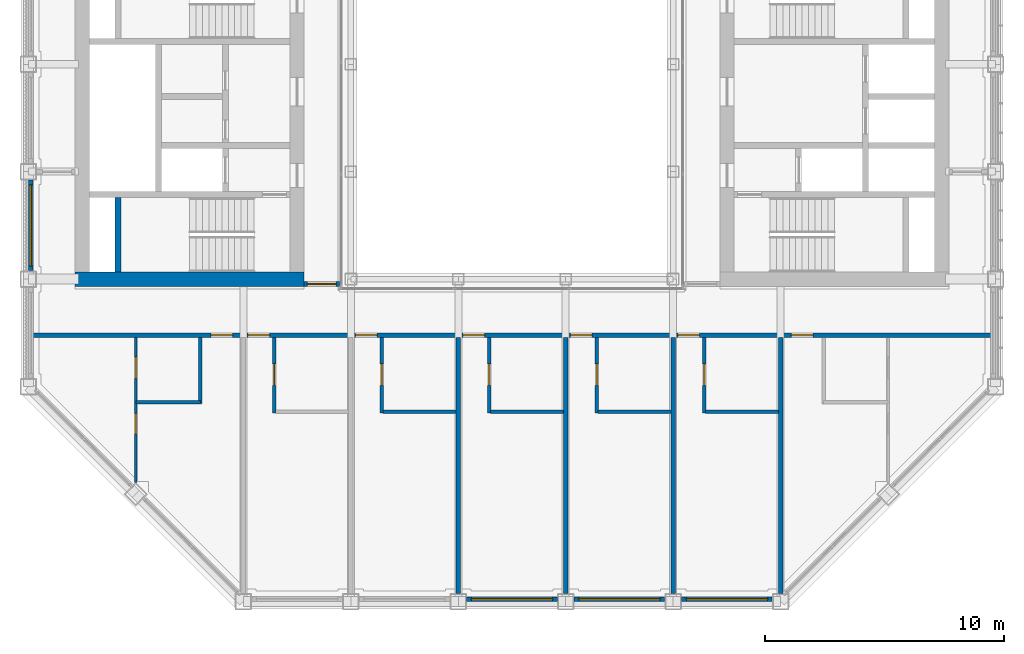
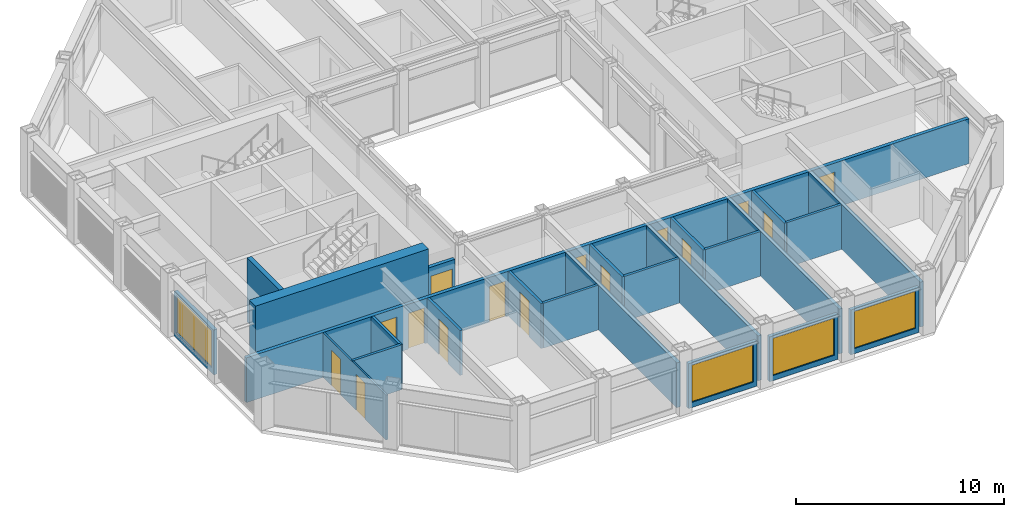
# One storey, part 9 of 18: 24 walls, 15 doors, 4 windows, 19 openings.
"""IFC4 building model written with IfcOpenShell, lengths in metres."""

from ifc_helpers import new_model, si_unit, direction, frame, frame_2d, origin, place, context, subcontext, project, spatial, rectangle, extrude, material, layer, layer_set, type_object, element, fill, save


model = new_model("IFC4")

# Units and contexts
model_context = context("Model", 3, precision=1e-05, world=origin(), true_north=direction((0.0, 1.0)))
body_context = subcontext(model_context, "Body", "Model", "MODEL_VIEW")
ifc_project = project(units=[si_unit("LENGTHUNIT", "METRE"), si_unit("AREAUNIT", "SQUARE_METRE"), si_unit("VOLUMEUNIT", "CUBIC_METRE"), si_unit("PLANEANGLEUNIT", "RADIAN"), si_unit("MASSUNIT", "GRAM", prefix="KILO")], contexts=[model_context])

# Site, building, storey
site_placement = place(None, origin())
site = spatial("IfcSite", under=ifc_project, at=site_placement, CompositionType="ELEMENT")
building_placement = place(site_placement, origin())
building = spatial("IfcBuilding", under=site, at=building_placement, Name="Msasa Ring Tower", CompositionType="ELEMENT")
storey_placement = place(building_placement, frame((0.0, 0.0, 208.300048828125)))
storey = spatial("IfcBuildingStorey", under=building, at=storey_placement, Name="L54", CompositionType="ELEMENT", Elevation=208.300048828125)

# Walls
ifc_material_1 = material(Name="Concrete C60/75", Category="concrete")
ifc_layer_1 = layer(ifc_material_1, 0.60009765625)
ifc_layer_set_1 = layer_set([ifc_layer_1], Name="CW3 CORE WALL 600")
wall_type_1 = type_object("IfcWallType", Name="CW3 CORE WALL 600", PredefinedType="SHEAR", material=ifc_layer_set_1)
wall_1_placement = place(storey_placement, frame((-8.699951171875, -6.75, 0.0), z_axis=(0.0, 0.0, 1.0), x_axis=(-1.0, 0.0, 0.0)))
element("IfcWall", 1, at=wall_1_placement, inside=storey, type_object=wall_type_1, Name="W core wall S L54", PredefinedType="SHEAR", context=body_context, shape_type="SweptSolid", body=[
    extrude(rectangle(XDim=9.60009765625, YDim=0.60009765625, at=frame_2d((4.800048828125, 0.0))), origin(), (0.0, 0.0, 1.0), 3.75),
])
ifc_material_2 = material(Name="Concrete C60/75", Category="concrete")
ifc_layer_2 = layer(ifc_material_2, 0.25)
ifc_layer_set_2 = layer_set([ifc_layer_2], Name="CW4 CORE INNER WALL 250")
wall_type_2 = type_object("IfcWallType", Name="CW4 CORE INNER WALL 250", PredefinedType="SHEAR", material=ifc_layer_set_2)
wall_2_placement = place(storey_placement, frame((-16.5, -6.449951171875, 0.0), z_axis=(0.0, 0.0, 1.0), x_axis=(0.0, 1.0, 0.0)))
element("IfcWall", 2, at=wall_2_placement, inside=storey, type_object=wall_type_2, Name="W core wall RISERA L54", PredefinedType="SHEAR", context=body_context, shape_type="SweptSolid", body=[
    extrude(rectangle(XDim=3.125, YDim=0.25, at=frame_2d((1.5625, 0.0))), origin(), (0.0, 0.0, 1.0), 3.75),
])

# Wall, opening, window
ifc_material_3 = material(Name="Terracotta rainscreen on blockwork", Category="masonry")
ifc_layer_3 = layer(ifc_material_3, 0.199951171875)
ifc_layer_set_3 = layer_set([ifc_layer_3], Name="FW1 TERRACOTTA-LINED INFILL BAY WALL 200")
wall_type_3 = type_object("IfcWallType", Name="FW1 TERRACOTTA-LINED INFILL BAY WALL 200", PredefinedType="SOLIDWALL", material=ifc_layer_set_3)
wall_3_placement = place(storey_placement, frame((-1.89501953125, -20.14990234375, 0.0), z_axis=(0.0, 0.0, 1.0), x_axis=(1.0, 0.0, 0.0)))
wall_3 = element("IfcWall", 3, at=wall_3_placement, inside=storey, type_object=wall_type_3, Name="Infill bay wall S L54 02", PredefinedType="SOLIDWALL", context=body_context, shape_type="SweptSolid", body=[
    extrude(rectangle(XDim=3.7900390625, YDim=0.199951171875, at=frame_2d((1.89501953125, 0.0))), origin(), (0.0, 0.0, 1.0), 2.62890625),
])
opening_1_placement = place(wall_3_placement, frame((0.195068359375, 0.0, 0.300048828125)))
opening_1 = element("IfcOpeningElement", 4, at=opening_1_placement, cuts=wall_3, Name="Opening WN3", PredefinedType="OPENING", context=body_context, shape_type="SweptSolid", body=[
    extrude(rectangle(XDim=3.39990234375, YDim=2.178955078125, at=frame_2d((1.699951171875, 1.08935546875))), frame((0.0, 0.10986328125, 0.0), z_axis=(0.0, -1.0, 0.0), x_axis=(1.0, 0.0, 0.0)), (0.0, 0.0, 1.0), 0.219970703125),
])
ifc_material_4 = material(Name="Aluminium frame with clear glass", Category="aluminium")
window_type = type_object("IfcWindowType", Name="WN3 SUITE WINDOW 3400x2179", PartitioningType="SINGLE_PANEL", PredefinedType="WINDOW", material=ifc_material_4)
window_1_placement = place(opening_1_placement, origin())
window_1 = element("IfcWindow", 5, at=window_1_placement, inside=storey, type_object=window_type, Name="Window S L54 02", OverallHeight=2.178955078125, OverallWidth=3.39990234375, PartitioningType="SINGLE_PANEL", PredefinedType="WINDOW", context=body_context, shape_type="SweptSolid", body=[
    extrude(rectangle(XDim=3.39990234375, YDim=2.178955078125, at=frame_2d((1.699951171875, 1.08935546875))), frame((0.0, 0.030029296875, 0.0), z_axis=(0.0, -1.0, 0.0), x_axis=(1.0, 0.0, 0.0)), (0.0, 0.0, 1.0), 0.06005859375),
])
fill(opening_1, window_1)

wall_4_placement = place(storey_placement, frame((2.60498046875, -20.14990234375, 0.0), z_axis=(0.0, 0.0, 1.0), x_axis=(1.0, 0.0, 0.0)))
wall_4 = element("IfcWall", 6, at=wall_4_placement, inside=storey, type_object=wall_type_3, Name="Infill bay wall S L54 03", PredefinedType="SOLIDWALL", context=body_context, shape_type="SweptSolid", body=[
    extrude(rectangle(XDim=3.7900390625, YDim=0.199951171875, at=frame_2d((1.89501953125, 0.0))), origin(), (0.0, 0.0, 1.0), 2.62890625),
])
opening_2_placement = place(wall_4_placement, frame((0.195068359375, 0.0, 0.300048828125)))
opening_2 = element("IfcOpeningElement", 7, at=opening_2_placement, cuts=wall_4, Name="Opening WN3", PredefinedType="OPENING", context=body_context, shape_type="SweptSolid", body=[
    extrude(rectangle(XDim=3.39990234375, YDim=2.178955078125, at=frame_2d((1.699951171875, 1.08935546875))), frame((0.0, 0.10986328125, 0.0), z_axis=(0.0, -1.0, 0.0), x_axis=(1.0, 0.0, 0.0)), (0.0, 0.0, 1.0), 0.219970703125),
])
window_2_placement = place(opening_2_placement, origin())
window_2 = element("IfcWindow", 8, at=window_2_placement, inside=storey, type_object=window_type, Name="Window S L54 03", OverallHeight=2.178955078125, OverallWidth=3.39990234375, PartitioningType="SINGLE_PANEL", PredefinedType="WINDOW", context=body_context, shape_type="SweptSolid", body=[
    extrude(rectangle(XDim=3.39990234375, YDim=2.178955078125, at=frame_2d((1.699951171875, 1.08935546875))), frame((0.0, 0.030029296875, 0.0), z_axis=(0.0, -1.0, 0.0), x_axis=(1.0, 0.0, 0.0)), (0.0, 0.0, 1.0), 0.06005859375),
])
fill(opening_2, window_2)

wall_5_placement = place(storey_placement, frame((7.10498046875, -20.14990234375, 0.0), z_axis=(0.0, 0.0, 1.0), x_axis=(1.0, 0.0, 0.0)))
wall_5 = element("IfcWall", 9, at=wall_5_placement, inside=storey, type_object=wall_type_3, Name="Infill bay wall S L54 04", PredefinedType="SOLIDWALL", context=body_context, shape_type="SweptSolid", body=[
    extrude(rectangle(XDim=3.7900390625, YDim=0.199951171875, at=frame_2d((1.89501953125, 0.0))), origin(), (0.0, 0.0, 1.0), 2.62890625),
])
opening_3_placement = place(wall_5_placement, frame((0.195068359375, 0.0, 0.300048828125)))
opening_3 = element("IfcOpeningElement", 10, at=opening_3_placement, cuts=wall_5, Name="Opening WN3", PredefinedType="OPENING", context=body_context, shape_type="SweptSolid", body=[
    extrude(rectangle(XDim=3.39990234375, YDim=2.178955078125, at=frame_2d((1.699951171875, 1.08935546875))), frame((0.0, 0.10986328125, 0.0), z_axis=(0.0, -1.0, 0.0), x_axis=(1.0, 0.0, 0.0)), (0.0, 0.0, 1.0), 0.219970703125),
])
window_3_placement = place(opening_3_placement, origin())
window_3 = element("IfcWindow", 11, at=window_3_placement, inside=storey, type_object=window_type, Name="Window S L54 04", OverallHeight=2.178955078125, OverallWidth=3.39990234375, PartitioningType="SINGLE_PANEL", PredefinedType="WINDOW", context=body_context, shape_type="SweptSolid", body=[
    extrude(rectangle(XDim=3.39990234375, YDim=2.178955078125, at=frame_2d((1.699951171875, 1.08935546875))), frame((0.0, 0.030029296875, 0.0), z_axis=(0.0, -1.0, 0.0), x_axis=(1.0, 0.0, 0.0)), (0.0, 0.0, 1.0), 0.06005859375),
])
fill(opening_3, window_3)

wall_6_placement = place(storey_placement, frame((-20.14990234375, -6.39501953125, 0.0), z_axis=(0.0, 0.0, 1.0), x_axis=(0.0, 1.0, 0.0)))
wall_6 = element("IfcWall", 12, at=wall_6_placement, inside=storey, type_object=wall_type_3, Name="Infill bay wall W L54 22", PredefinedType="SOLIDWALL", context=body_context, shape_type="SweptSolid", body=[
    extrude(rectangle(XDim=3.7900390625, YDim=0.199951171875, at=frame_2d((1.89501953125, 0.0))), origin(), (0.0, 0.0, 1.0), 2.62890625),
])
opening_4_placement = place(wall_6_placement, frame((0.195068359375, 0.0, 0.300048828125)))
opening_4 = element("IfcOpeningElement", 13, at=opening_4_placement, cuts=wall_6, Name="Opening WN3", PredefinedType="OPENING", context=body_context, shape_type="SweptSolid", body=[
    extrude(rectangle(XDim=3.39990234375, YDim=2.178955078125, at=frame_2d((1.699951171875, 1.08935546875))), frame((0.0, 0.10986328125, 0.0), z_axis=(0.0, -1.0, 0.0), x_axis=(1.0, 0.0, 0.0)), (0.0, 0.0, 1.0), 0.219970703125),
])
window_4_placement = place(opening_4_placement, origin())
window_4 = element("IfcWindow", 14, at=window_4_placement, inside=storey, type_object=window_type, Name="Window W L54 22", OverallHeight=2.178955078125, OverallWidth=3.39990234375, PartitioningType="SINGLE_PANEL", PredefinedType="WINDOW", context=body_context, shape_type="SweptSolid", body=[
    extrude(rectangle(XDim=3.39990234375, YDim=2.178955078125, at=frame_2d((1.699951171875, 1.08935546875))), frame((0.0, 0.030029296875, 0.0), z_axis=(0.0, -1.0, 0.0), x_axis=(1.0, 0.0, 0.0)), (0.0, 0.0, 1.0), 0.06005859375),
])
fill(opening_4, window_4)

# Wall, opening, door
ifc_material_5 = material(Name="Concrete blockwork", Category="masonry")
ifc_layer_4 = layer(ifc_material_5, 0.199951171875)
ifc_layer_set_4 = layer_set([ifc_layer_4], Name="PT1 CORRIDOR WALL 200")
wall_type_4 = type_object("IfcWallType", Name="PT1 CORRIDOR WALL 200", PredefinedType="PARTITIONING", material=ifc_layer_set_4)
wall_7_placement = place(storey_placement, frame((-8.699951171875, -6.949951171875, 0.0), z_axis=(0.0, 0.0, 1.0), x_axis=(1.0, 0.0, 0.0)))
wall_7 = element("IfcWall", 15, at=wall_7_placement, inside=storey, type_object=wall_type_4, Name="Corridor wall L54-SDWS", PredefinedType="PARTITIONING", context=body_context, shape_type="SweptSolid", body=[
    extrude(rectangle(XDim=1.469970703125, YDim=0.199951171875, at=frame_2d((0.73486328125, 0.0))), origin(), (0.0, 0.0, 1.0), 2.62890625),
])
opening_5_placement = place(wall_7_placement, frame((0.135009765625, 0.0, 0.0)))
opening_5 = element("IfcOpeningElement", 16, at=opening_5_placement, cuts=wall_7, Name="Opening SA-031", PredefinedType="OPENING", context=body_context, shape_type="SweptSolid", body=[
    extrude(rectangle(XDim=1.199951171875, YDim=2.10009765625, at=frame_2d((0.60009765625, 1.050048828125))), frame((0.0, 0.10986328125, 0.0), z_axis=(0.0, -1.0, 0.0), x_axis=(1.0, 0.0, 0.0)), (0.0, 0.0, 1.0), 0.219970703125),
])
ifc_material_6 = material(Name="Timber door leaf in a steel frame", Category="steel")
door_type_1 = type_object("IfcDoorType", Name="D25 CORRIDOR PAIR OF SMOKE DOORS 1200x2100", OperationType="DOUBLE_DOOR_DOUBLE_SWING", PredefinedType="DOOR", material=ifc_material_6)
door_1_placement = place(opening_5_placement, origin())
door_1 = element("IfcDoor", 17, at=door_1_placement, inside=storey, type_object=door_type_1, Name="Door L54-SDWS", OperationType="DOUBLE_DOOR_DOUBLE_SWING", OverallHeight=2.10009765625, OverallWidth=1.199951171875, PredefinedType="DOOR", context=body_context, shape_type="SweptSolid", body=[
    extrude(rectangle(XDim=1.199951171875, YDim=2.10009765625, at=frame_2d((0.60009765625, 1.050048828125))), frame((0.0, 0.02490234375, 0.0), z_axis=(0.0, -1.0, 0.0), x_axis=(1.0, 0.0, 0.0)), (0.0, 0.0, 1.0), 0.050048828125),
])
fill(opening_5, door_1)

# Wall, openings, doors
wall_8_placement = place(storey_placement, frame((-20.050048828125, -9.10009765625, 0.0), z_axis=(0.0, 0.0, 1.0), x_axis=(1.0, 0.0, 0.0)))
wall_8 = element("IfcWall", 18, at=wall_8_placement, inside=storey, type_object=wall_type_4, Name="Corridor wall L54-CORRS0", PredefinedType="PARTITIONING", context=body_context, shape_type="SweptSolid", body=[
    extrude(rectangle(XDim=40.10009765625, YDim=0.199951171875, at=frame_2d((20.050048828125, 0.0))), origin(), (0.0, 0.0, 1.0), 2.62890625),
])
opening_6_placement = place(wall_8_placement, frame((9.0, 0.0, 0.0)))
opening_6 = element("IfcOpeningElement", 19, at=opening_6_placement, cuts=wall_8, Name="Opening SA-034", PredefinedType="OPENING", context=body_context, shape_type="SweptSolid", body=[
    extrude(rectangle(XDim=0.89990234375, YDim=2.10009765625, at=frame_2d((0.449951171875, 1.050048828125))), frame((0.0, 0.10986328125, 0.0), z_axis=(0.0, -1.0, 0.0), x_axis=(1.0, 0.0, 0.0)), (0.0, 0.0, 1.0), 0.219970703125),
])
opening_7_placement = place(wall_8_placement, frame((13.5, 0.0, 0.0)))
opening_7 = element("IfcOpeningElement", 20, at=opening_7_placement, cuts=wall_8, Name="Opening SA-035", PredefinedType="OPENING", context=body_context, shape_type="SweptSolid", body=[
    extrude(rectangle(XDim=0.89990234375, YDim=2.10009765625, at=frame_2d((0.449951171875, 1.050048828125))), frame((0.0, 0.10986328125, 0.0), z_axis=(0.0, -1.0, 0.0), x_axis=(1.0, 0.0, 0.0)), (0.0, 0.0, 1.0), 0.219970703125),
])
opening_8_placement = place(wall_8_placement, frame((18.0, 0.0, 0.0)))
opening_8 = element("IfcOpeningElement", 21, at=opening_8_placement, cuts=wall_8, Name="Opening SA-036", PredefinedType="OPENING", context=body_context, shape_type="SweptSolid", body=[
    extrude(rectangle(XDim=0.89990234375, YDim=2.10009765625, at=frame_2d((0.449951171875, 1.050048828125))), frame((0.0, 0.10986328125, 0.0), z_axis=(0.0, -1.0, 0.0), x_axis=(1.0, 0.0, 0.0)), (0.0, 0.0, 1.0), 0.219970703125),
])
opening_9_placement = place(wall_8_placement, frame((22.5, 0.0, 0.0)))
opening_9 = element("IfcOpeningElement", 22, at=opening_9_placement, cuts=wall_8, Name="Opening SA-037", PredefinedType="OPENING", context=body_context, shape_type="SweptSolid", body=[
    extrude(rectangle(XDim=0.89990234375, YDim=2.10009765625, at=frame_2d((0.449951171875, 1.050048828125))), frame((0.0, 0.10986328125, 0.0), z_axis=(0.0, -1.0, 0.0), x_axis=(1.0, 0.0, 0.0)), (0.0, 0.0, 1.0), 0.219970703125),
])
opening_10_placement = place(wall_8_placement, frame((27.0, 0.0, 0.0)))
opening_10 = element("IfcOpeningElement", 23, at=opening_10_placement, cuts=wall_8, Name="Opening SA-038", PredefinedType="OPENING", context=body_context, shape_type="SweptSolid", body=[
    extrude(rectangle(XDim=0.89990234375, YDim=2.10009765625, at=frame_2d((0.449951171875, 1.050048828125))), frame((0.0, 0.10986328125, 0.0), z_axis=(0.0, -1.0, 0.0), x_axis=(1.0, 0.0, 0.0)), (0.0, 0.0, 1.0), 0.219970703125),
])
opening_11_placement = place(wall_8_placement, frame((31.75, 0.0, 0.0)))
opening_11 = element("IfcOpeningElement", 24, at=opening_11_placement, cuts=wall_8, Name="Opening SA-039", PredefinedType="OPENING", context=body_context, shape_type="SweptSolid", body=[
    extrude(rectangle(XDim=0.89990234375, YDim=2.10009765625, at=frame_2d((0.449951171875, 1.050048828125))), frame((0.0, 0.10986328125, 0.0), z_axis=(0.0, -1.0, 0.0), x_axis=(1.0, 0.0, 0.0)), (0.0, 0.0, 1.0), 0.219970703125),
])
opening_12_placement = place(wall_8_placement, frame((7.449951171875, 0.0, 0.0)))
opening_12 = element("IfcOpeningElement", 25, at=opening_12_placement, cuts=wall_8, Name="Opening SA-033", PredefinedType="OPENING", context=body_context, shape_type="SweptSolid", body=[
    extrude(rectangle(XDim=0.89990234375, YDim=2.10009765625, at=frame_2d((0.449951171875, 1.050048828125))), frame((0.0, 0.10986328125, 0.0), z_axis=(0.0, -1.0, 0.0), x_axis=(1.0, 0.0, 0.0)), (0.0, 0.0, 1.0), 0.219970703125),
])
ifc_material_7 = material(Name="Timber door leaf in a steel frame", Category="steel")
door_type_2 = type_object("IfcDoorType", Name="D1 SINGLE DOOR TO CORRIDOR 900x2100", OperationType="SINGLE_SWING_LEFT", PredefinedType="DOOR", material=ifc_material_7)
door_2_placement = place(opening_6_placement, origin())
door_2 = element("IfcDoor", 26, at=door_2_placement, inside=storey, type_object=door_type_2, Name="Door L54-JS00", OperationType="SINGLE_SWING_LEFT", OverallHeight=2.10009765625, OverallWidth=0.89990234375, PredefinedType="DOOR", context=body_context, shape_type="SweptSolid", body=[
    extrude(rectangle(XDim=0.89990234375, YDim=2.10009765625, at=frame_2d((0.449951171875, 1.050048828125))), frame((0.0, 0.02490234375, 0.0), z_axis=(0.0, -1.0, 0.0), x_axis=(1.0, 0.0, 0.0)), (0.0, 0.0, 1.0), 0.050048828125),
])
fill(opening_6, door_2)
door_3_placement = place(opening_7_placement, origin())
door_3 = element("IfcDoor", 27, at=door_3_placement, inside=storey, type_object=door_type_2, Name="Door L54-JS01", OperationType="SINGLE_SWING_LEFT", OverallHeight=2.10009765625, OverallWidth=0.89990234375, PredefinedType="DOOR", context=body_context, shape_type="SweptSolid", body=[
    extrude(rectangle(XDim=0.89990234375, YDim=2.10009765625, at=frame_2d((0.449951171875, 1.050048828125))), frame((0.0, 0.02490234375, 0.0), z_axis=(0.0, -1.0, 0.0), x_axis=(1.0, 0.0, 0.0)), (0.0, 0.0, 1.0), 0.050048828125),
])
fill(opening_7, door_3)
door_4_placement = place(opening_8_placement, origin())
door_4 = element("IfcDoor", 28, at=door_4_placement, inside=storey, type_object=door_type_2, Name="Door L54-JS02", OperationType="SINGLE_SWING_LEFT", OverallHeight=2.10009765625, OverallWidth=0.89990234375, PredefinedType="DOOR", context=body_context, shape_type="SweptSolid", body=[
    extrude(rectangle(XDim=0.89990234375, YDim=2.10009765625, at=frame_2d((0.449951171875, 1.050048828125))), frame((0.0, 0.02490234375, 0.0), z_axis=(0.0, -1.0, 0.0), x_axis=(1.0, 0.0, 0.0)), (0.0, 0.0, 1.0), 0.050048828125),
])
fill(opening_8, door_4)
door_5_placement = place(opening_9_placement, origin())
door_5 = element("IfcDoor", 29, at=door_5_placement, inside=storey, type_object=door_type_2, Name="Door L54-JS03", OperationType="SINGLE_SWING_RIGHT", OverallHeight=2.10009765625, OverallWidth=0.89990234375, PredefinedType="DOOR", context=body_context, shape_type="SweptSolid", body=[
    extrude(rectangle(XDim=0.89990234375, YDim=2.10009765625, at=frame_2d((0.449951171875, 1.050048828125))), frame((0.0, 0.02490234375, 0.0), z_axis=(0.0, -1.0, 0.0), x_axis=(1.0, 0.0, 0.0)), (0.0, 0.0, 1.0), 0.050048828125),
])
fill(opening_9, door_5)
door_6_placement = place(opening_10_placement, origin())
door_6 = element("IfcDoor", 30, at=door_6_placement, inside=storey, type_object=door_type_2, Name="Door L54-JS04", OperationType="SINGLE_SWING_RIGHT", OverallHeight=2.10009765625, OverallWidth=0.89990234375, PredefinedType="DOOR", context=body_context, shape_type="SweptSolid", body=[
    extrude(rectangle(XDim=0.89990234375, YDim=2.10009765625, at=frame_2d((0.449951171875, 1.050048828125))), frame((0.0, 0.02490234375, 0.0), z_axis=(0.0, -1.0, 0.0), x_axis=(1.0, 0.0, 0.0)), (0.0, 0.0, 1.0), 0.050048828125),
])
fill(opening_10, door_6)
ifc_material_8 = material(Name="Timber door leaf in a steel frame", Category="steel")
door_type_3 = type_object("IfcDoorType", Name="D2 ENTRANCE DOOR 900x2100", OperationType="SINGLE_SWING_LEFT", PredefinedType="DOOR", material=ifc_material_8)
door_7_placement = place(opening_11_placement, origin())
door_7 = element("IfcDoor", 31, at=door_7_placement, inside=storey, type_object=door_type_3, Name="Door L54-CSSE", OperationType="SINGLE_SWING_RIGHT", OverallHeight=2.10009765625, OverallWidth=0.89990234375, PredefinedType="DOOR", context=body_context, shape_type="SweptSolid", body=[
    extrude(rectangle(XDim=0.89990234375, YDim=2.10009765625, at=frame_2d((0.449951171875, 1.050048828125))), frame((0.0, 0.02490234375, 0.0), z_axis=(0.0, -1.0, 0.0), x_axis=(1.0, 0.0, 0.0)), (0.0, 0.0, 1.0), 0.050048828125),
])
fill(opening_11, door_7)
door_8_placement = place(opening_12_placement, origin())
door_8 = element("IfcDoor", 32, at=door_8_placement, inside=storey, type_object=door_type_3, Name="Door L54-CSSW", OperationType="SINGLE_SWING_LEFT", OverallHeight=2.10009765625, OverallWidth=0.89990234375, PredefinedType="DOOR", context=body_context, shape_type="SweptSolid", body=[
    extrude(rectangle(XDim=0.89990234375, YDim=2.10009765625, at=frame_2d((0.449951171875, 1.050048828125))), frame((0.0, 0.02490234375, 0.0), z_axis=(0.0, -1.0, 0.0), x_axis=(1.0, 0.0, 0.0)), (0.0, 0.0, 1.0), 0.050048828125),
])
fill(opening_12, door_8)

ifc_material_9 = material(Name="Gypsum board on steel studs", Category="steel")
ifc_layer_5 = layer(ifc_material_9, 0.10009765625)
ifc_layer_set_5 = layer_set([ifc_layer_5], Name="PT2 STUD PARTITION 100")
wall_type_5 = type_object("IfcWallType", Name="PT2 STUD PARTITION 100", PredefinedType="PARTITIONING", material=ifc_layer_set_5)
wall_9_placement = place(storey_placement, frame((-15.75, -15.2548828125, 0.0), z_axis=(0.0, 0.0, 1.0), x_axis=(0.0, 1.0, 0.0)))
wall_9 = element("IfcWall", 33, at=wall_9_placement, inside=storey, type_object=wall_type_5, Name="Partition L54-CSSWP1", PredefinedType="PARTITIONING", context=body_context, shape_type="SweptSolid", body=[
    extrude(rectangle(XDim=6.054931640625, YDim=0.10009765625, at=frame_2d((3.02734375, 0.0))), origin(), (0.0, 0.0, 1.0), 2.62890625),
])
opening_13_placement = place(wall_9_placement, frame((2.030029296875, 0.0, 0.0)))
opening_13 = element("IfcOpeningElement", 34, at=opening_13_placement, cuts=wall_9, Name="Opening SA-047", PredefinedType="OPENING", context=body_context, shape_type="SweptSolid", body=[
    extrude(rectangle(XDim=0.85009765625, YDim=2.10009765625, at=frame_2d((0.425048828125, 1.050048828125))), frame((0.0, 0.06005859375, 0.0), z_axis=(0.0, -1.0, 0.0), x_axis=(1.0, 0.0, 0.0)), (0.0, 0.0, 1.0), 0.1201171875),
])
opening_14_placement = place(wall_9_placement, frame((4.35498046875, 0.0, 0.0)))
opening_14 = element("IfcOpeningElement", 35, at=opening_14_placement, cuts=wall_9, Name="Opening SA-040", PredefinedType="OPENING", context=body_context, shape_type="SweptSolid", body=[
    extrude(rectangle(XDim=0.89990234375, YDim=2.10009765625, at=frame_2d((0.449951171875, 1.050048828125))), frame((0.0, 0.06005859375, 0.0), z_axis=(0.0, -1.0, 0.0), x_axis=(1.0, 0.0, 0.0)), (0.0, 0.0, 1.0), 0.1201171875),
])
ifc_material_10 = material(Name="Timber door leaf in a steel frame", Category="steel")
door_type_4 = type_object("IfcDoorType", Name="D14 BEDROOM DOOR 850x2100", OperationType="SINGLE_SWING_LEFT", PredefinedType="DOOR", material=ifc_material_10)
door_9_placement = place(opening_13_placement, origin())
door_9 = element("IfcDoor", 36, at=door_9_placement, inside=storey, type_object=door_type_4, Name="Door L54-CSSWR1", OperationType="SINGLE_SWING_LEFT", OverallHeight=2.10009765625, OverallWidth=0.85009765625, PredefinedType="DOOR", context=body_context, shape_type="SweptSolid", body=[
    extrude(rectangle(XDim=0.85009765625, YDim=2.10009765625, at=frame_2d((0.425048828125, 1.050048828125))), frame((0.0, 0.02490234375, 0.0), z_axis=(0.0, -1.0, 0.0), x_axis=(1.0, 0.0, 0.0)), (0.0, 0.0, 1.0), 0.050048828125),
])
fill(opening_13, door_9)
ifc_material_11 = material(Name="Timber door leaf in a steel frame", Category="steel")
door_type_5 = type_object("IfcDoorType", Name="D3 BATHROOM DOOR 900x2100", OperationType="SINGLE_SWING_LEFT", PredefinedType="DOOR", material=ifc_material_11)
door_10_placement = place(opening_14_placement, origin())
door_10 = element("IfcDoor", 37, at=door_10_placement, inside=storey, type_object=door_type_5, Name="Door L54-CSSWB1", OperationType="SINGLE_SWING_RIGHT", OverallHeight=2.10009765625, OverallWidth=0.89990234375, PredefinedType="DOOR", context=body_context, shape_type="SweptSolid", body=[
    extrude(rectangle(XDim=0.89990234375, YDim=2.10009765625, at=frame_2d((0.449951171875, 1.050048828125))), frame((0.0, 0.02490234375, 0.0), z_axis=(0.0, -1.0, 0.0), x_axis=(1.0, 0.0, 0.0)), (0.0, 0.0, 1.0), 0.050048828125),
])
fill(opening_14, door_10)

# Walls
ifc_material_12 = material(Name="Dense concrete blockwork, plastered both faces", Category="masonry")
ifc_layer_6 = layer(ifc_material_12, 0.25)
ifc_layer_set_6 = layer_set([ifc_layer_6], Name="PT3 APARTMENT SEPARATING WALL 250")
wall_type_6 = type_object("IfcWallType", Name="PT3 APARTMENT SEPARATING WALL 250", PredefinedType="PARTITIONING", material=ifc_layer_set_6)
for number, where, z_axis, x_axis, name in (
    (38, (-2.25, -19.89990234375, 0.0), (0.0, 0.0, 1.0), (0.0, 1.0, 0.0), "Party wall L54-PWS-2.25"),
    (39, (2.25, -19.89990234375, 0.0), (0.0, 0.0, 1.0), (0.0, 1.0, 0.0), "Party wall L54-PWS+2.25"),
    (40, (6.75, -19.89990234375, 0.0), (0.0, 0.0, 1.0), (0.0, 1.0, 0.0), "Party wall L54-PWS+6.75"),
    (41, (11.25, -19.89990234375, 0.0), (0.0, 0.0, 1.0), (0.0, 1.0, 0.0), "Party wall L54-PWS+11.25"),
):
    element("IfcWall", number, at=place(storey_placement, frame(where, z_axis=z_axis, x_axis=x_axis)), inside=storey, type_object=wall_type_6, Name=name, PredefinedType="PARTITIONING", context=body_context, shape_type="SweptSolid", body=[
        extrude(rectangle(XDim=10.699951171875, YDim=0.199951171875, at=frame_2d((5.35009765625, 0.0))), origin(), (0.0, 0.0, 1.0), 2.62890625),
    ])

# Wall, opening, door
ifc_material_13 = material(Name="Moisture-resistant board on steel studs with a concealed cistern and pipe void, tiled", Category="steel")
ifc_layer_7 = layer(ifc_material_13, 0.14990234375)
ifc_layer_set_7 = layer_set([ifc_layer_7], Name="PT4 BATHROOM WET WALL 150")
wall_type_7 = type_object("IfcWallType", Name="PT4 BATHROOM WET WALL 150", PredefinedType="PARTITIONING", material=ifc_layer_set_7)
wall_10_placement = place(storey_placement, frame((-9.949951171875, -12.35009765625, 0.0), z_axis=(0.0, 0.0, 1.0), x_axis=(0.0, 1.0, 0.0)))
wall_10 = element("IfcWall", 42, at=wall_10_placement, inside=storey, type_object=wall_type_7, Name="Partition L54-JS00BX", PredefinedType="PARTITIONING", context=body_context, shape_type="SweptSolid", body=[
    extrude(rectangle(XDim=3.150146484375, YDim=0.14990234375, at=frame_2d((1.5751953125, 0.0))), origin(), (0.0, 0.0, 1.0), 2.62890625),
])
opening_15_placement = place(wall_10_placement, frame((1.14990234375, 0.0, 0.0)))
opening_15 = element("IfcOpeningElement", 43, at=opening_15_placement, cuts=wall_10, Name="Opening SA-042", PredefinedType="OPENING", context=body_context, shape_type="SweptSolid", body=[
    extrude(rectangle(XDim=0.89990234375, YDim=2.10009765625, at=frame_2d((0.449951171875, 1.050048828125))), frame((0.0, 0.0849609375, 0.0), z_axis=(0.0, -1.0, 0.0), x_axis=(1.0, 0.0, 0.0)), (0.0, 0.0, 1.0), 0.169921875),
])
door_11_placement = place(opening_15_placement, origin())
door_11 = element("IfcDoor", 44, at=door_11_placement, inside=storey, type_object=door_type_5, Name="Door L54-JS00B", OperationType="SINGLE_SWING_LEFT", OverallHeight=2.10009765625, OverallWidth=0.89990234375, PredefinedType="DOOR", context=body_context, shape_type="SweptSolid", body=[
    extrude(rectangle(XDim=0.89990234375, YDim=2.10009765625, at=frame_2d((0.449951171875, 1.050048828125))), frame((0.0, 0.02490234375, 0.0), z_axis=(0.0, -1.0, 0.0), x_axis=(1.0, 0.0, 0.0)), (0.0, 0.0, 1.0), 0.050048828125),
])
fill(opening_15, door_11)

wall_11_placement = place(storey_placement, frame((-5.449951171875, -12.35009765625, 0.0), z_axis=(0.0, 0.0, 1.0), x_axis=(0.0, 1.0, 0.0)))
wall_11 = element("IfcWall", 45, at=wall_11_placement, inside=storey, type_object=wall_type_7, Name="Partition L54-JS01BX", PredefinedType="PARTITIONING", context=body_context, shape_type="SweptSolid", body=[
    extrude(rectangle(XDim=3.150146484375, YDim=0.14990234375, at=frame_2d((1.5751953125, 0.0))), origin(), (0.0, 0.0, 1.0), 2.62890625),
])
opening_16_placement = place(wall_11_placement, frame((1.14990234375, 0.0, 0.0)))
opening_16 = element("IfcOpeningElement", 46, at=opening_16_placement, cuts=wall_11, Name="Opening SA-043", PredefinedType="OPENING", context=body_context, shape_type="SweptSolid", body=[
    extrude(rectangle(XDim=0.89990234375, YDim=2.10009765625, at=frame_2d((0.449951171875, 1.050048828125))), frame((0.0, 0.0849609375, 0.0), z_axis=(0.0, -1.0, 0.0), x_axis=(1.0, 0.0, 0.0)), (0.0, 0.0, 1.0), 0.169921875),
])
door_12_placement = place(opening_16_placement, origin())
door_12 = element("IfcDoor", 47, at=door_12_placement, inside=storey, type_object=door_type_5, Name="Door L54-JS01B", OperationType="SINGLE_SWING_LEFT", OverallHeight=2.10009765625, OverallWidth=0.89990234375, PredefinedType="DOOR", context=body_context, shape_type="SweptSolid", body=[
    extrude(rectangle(XDim=0.89990234375, YDim=2.10009765625, at=frame_2d((0.449951171875, 1.050048828125))), frame((0.0, 0.02490234375, 0.0), z_axis=(0.0, -1.0, 0.0), x_axis=(1.0, 0.0, 0.0)), (0.0, 0.0, 1.0), 0.050048828125),
])
fill(opening_16, door_12)

# Wall
wall_12_placement = place(storey_placement, frame((-5.39990234375, -12.300048828125, 0.0), z_axis=(0.0, 0.0, 1.0), x_axis=(1.0, 0.0, 0.0)))
element("IfcWall", 48, at=wall_12_placement, inside=storey, type_object=wall_type_7, Name="Partition L54-JS01BY", PredefinedType="PARTITIONING", context=body_context, shape_type="SweptSolid", body=[
    extrude(rectangle(XDim=3.0498046875, YDim=0.14990234375, at=frame_2d((1.52490234375, 0.0))), origin(), (0.0, 0.0, 1.0), 2.62890625),
])

# Wall, opening, door
wall_13_placement = place(storey_placement, frame((-0.949951171875, -12.35009765625, 0.0), z_axis=(0.0, 0.0, 1.0), x_axis=(0.0, 1.0, 0.0)))
wall_13 = element("IfcWall", 49, at=wall_13_placement, inside=storey, type_object=wall_type_7, Name="Partition L54-JS02BX", PredefinedType="PARTITIONING", context=body_context, shape_type="SweptSolid", body=[
    extrude(rectangle(XDim=3.150146484375, YDim=0.14990234375, at=frame_2d((1.5751953125, 0.0))), origin(), (0.0, 0.0, 1.0), 2.62890625),
])
opening_17_placement = place(wall_13_placement, frame((1.14990234375, 0.0, 0.0)))
opening_17 = element("IfcOpeningElement", 50, at=opening_17_placement, cuts=wall_13, Name="Opening SA-044", PredefinedType="OPENING", context=body_context, shape_type="SweptSolid", body=[
    extrude(rectangle(XDim=0.89990234375, YDim=2.10009765625, at=frame_2d((0.449951171875, 1.050048828125))), frame((0.0, 0.0849609375, 0.0), z_axis=(0.0, -1.0, 0.0), x_axis=(1.0, 0.0, 0.0)), (0.0, 0.0, 1.0), 0.169921875),
])
door_13_placement = place(opening_17_placement, origin())
door_13 = element("IfcDoor", 51, at=door_13_placement, inside=storey, type_object=door_type_5, Name="Door L54-JS02B", OperationType="SINGLE_SWING_LEFT", OverallHeight=2.10009765625, OverallWidth=0.89990234375, PredefinedType="DOOR", context=body_context, shape_type="SweptSolid", body=[
    extrude(rectangle(XDim=0.89990234375, YDim=2.10009765625, at=frame_2d((0.449951171875, 1.050048828125))), frame((0.0, 0.02490234375, 0.0), z_axis=(0.0, -1.0, 0.0), x_axis=(1.0, 0.0, 0.0)), (0.0, 0.0, 1.0), 0.050048828125),
])
fill(opening_17, door_13)

# Wall
wall_14_placement = place(storey_placement, frame((-0.89990234375, -12.300048828125, 0.0), z_axis=(0.0, 0.0, 1.0), x_axis=(1.0, 0.0, 0.0)))
element("IfcWall", 52, at=wall_14_placement, inside=storey, type_object=wall_type_7, Name="Partition L54-JS02BY", PredefinedType="PARTITIONING", context=body_context, shape_type="SweptSolid", body=[
    extrude(rectangle(XDim=3.0498046875, YDim=0.14990234375, at=frame_2d((1.52490234375, 0.0))), origin(), (0.0, 0.0, 1.0), 2.62890625),
])

# Wall, opening, door
wall_15_placement = place(storey_placement, frame((3.550048828125, -12.35009765625, 0.0), z_axis=(0.0, 0.0, 1.0), x_axis=(0.0, 1.0, 0.0)))
wall_15 = element("IfcWall", 53, at=wall_15_placement, inside=storey, type_object=wall_type_7, Name="Partition L54-JS03BX", PredefinedType="PARTITIONING", context=body_context, shape_type="SweptSolid", body=[
    extrude(rectangle(XDim=3.150146484375, YDim=0.14990234375, at=frame_2d((1.5751953125, 0.0))), origin(), (0.0, 0.0, 1.0), 2.62890625),
])
opening_18_placement = place(wall_15_placement, frame((1.14990234375, 0.0, 0.0)))
opening_18 = element("IfcOpeningElement", 54, at=opening_18_placement, cuts=wall_15, Name="Opening SA-045", PredefinedType="OPENING", context=body_context, shape_type="SweptSolid", body=[
    extrude(rectangle(XDim=0.89990234375, YDim=2.10009765625, at=frame_2d((0.449951171875, 1.050048828125))), frame((0.0, 0.0849609375, 0.0), z_axis=(0.0, -1.0, 0.0), x_axis=(1.0, 0.0, 0.0)), (0.0, 0.0, 1.0), 0.169921875),
])
door_14_placement = place(opening_18_placement, origin())
door_14 = element("IfcDoor", 55, at=door_14_placement, inside=storey, type_object=door_type_5, Name="Door L54-JS03B", OperationType="SINGLE_SWING_LEFT", OverallHeight=2.10009765625, OverallWidth=0.89990234375, PredefinedType="DOOR", context=body_context, shape_type="SweptSolid", body=[
    extrude(rectangle(XDim=0.89990234375, YDim=2.10009765625, at=frame_2d((0.449951171875, 1.050048828125))), frame((0.0, 0.02490234375, 0.0), z_axis=(0.0, -1.0, 0.0), x_axis=(1.0, 0.0, 0.0)), (0.0, 0.0, 1.0), 0.050048828125),
])
fill(opening_18, door_14)

# Wall
wall_16_placement = place(storey_placement, frame((3.60009765625, -12.300048828125, 0.0), z_axis=(0.0, 0.0, 1.0), x_axis=(1.0, 0.0, 0.0)))
element("IfcWall", 56, at=wall_16_placement, inside=storey, type_object=wall_type_7, Name="Partition L54-JS03BY", PredefinedType="PARTITIONING", context=body_context, shape_type="SweptSolid", body=[
    extrude(rectangle(XDim=3.0498046875, YDim=0.14990234375, at=frame_2d((1.52490234375, 0.0))), origin(), (0.0, 0.0, 1.0), 2.62890625),
])

# Wall, opening, door
wall_17_placement = place(storey_placement, frame((8.050048828125, -12.35009765625, 0.0), z_axis=(0.0, 0.0, 1.0), x_axis=(0.0, 1.0, 0.0)))
wall_17 = element("IfcWall", 57, at=wall_17_placement, inside=storey, type_object=wall_type_7, Name="Partition L54-JS04BX", PredefinedType="PARTITIONING", context=body_context, shape_type="SweptSolid", body=[
    extrude(rectangle(XDim=3.150146484375, YDim=0.14990234375, at=frame_2d((1.5751953125, 0.0))), origin(), (0.0, 0.0, 1.0), 2.62890625),
])
opening_19_placement = place(wall_17_placement, frame((1.14990234375, 0.0, 0.0)))
opening_19 = element("IfcOpeningElement", 58, at=opening_19_placement, cuts=wall_17, Name="Opening SA-046", PredefinedType="OPENING", context=body_context, shape_type="SweptSolid", body=[
    extrude(rectangle(XDim=0.89990234375, YDim=2.10009765625, at=frame_2d((0.449951171875, 1.050048828125))), frame((0.0, 0.0849609375, 0.0), z_axis=(0.0, -1.0, 0.0), x_axis=(1.0, 0.0, 0.0)), (0.0, 0.0, 1.0), 0.169921875),
])
door_15_placement = place(opening_19_placement, origin())
door_15 = element("IfcDoor", 59, at=door_15_placement, inside=storey, type_object=door_type_5, Name="Door L54-JS04B", OperationType="SINGLE_SWING_LEFT", OverallHeight=2.10009765625, OverallWidth=0.89990234375, PredefinedType="DOOR", context=body_context, shape_type="SweptSolid", body=[
    extrude(rectangle(XDim=0.89990234375, YDim=2.10009765625, at=frame_2d((0.449951171875, 1.050048828125))), frame((0.0, 0.02490234375, 0.0), z_axis=(0.0, -1.0, 0.0), x_axis=(1.0, 0.0, 0.0)), (0.0, 0.0, 1.0), 0.050048828125),
])
fill(opening_19, door_15)

# Walls
wall_18_placement = place(storey_placement, frame((8.10009765625, -12.300048828125, 0.0), z_axis=(0.0, 0.0, 1.0), x_axis=(1.0, 0.0, 0.0)))
element("IfcWall", 60, at=wall_18_placement, inside=storey, type_object=wall_type_7, Name="Partition L54-JS04BY", PredefinedType="PARTITIONING", context=body_context, shape_type="SweptSolid", body=[
    extrude(rectangle(XDim=3.0498046875, YDim=0.14990234375, at=frame_2d((1.52490234375, 0.0))), origin(), (0.0, 0.0, 1.0), 2.62890625),
])
wall_19_placement = place(storey_placement, frame((-13.050048828125, -11.949951171875, 0.0), z_axis=(0.0, 0.0, 1.0), x_axis=(0.0, 1.0, 0.0)))
element("IfcWall", 61, at=wall_19_placement, inside=storey, type_object=wall_type_7, Name="Partition L54-CSSWBX", PredefinedType="PARTITIONING", context=body_context, shape_type="SweptSolid", body=[
    extrude(rectangle(XDim=2.75, YDim=0.14990234375, at=frame_2d((1.375, 0.0))), origin(), (0.0, 0.0, 1.0), 2.62890625),
])
wall_20_placement = place(storey_placement, frame((-15.75, -11.89990234375, 0.0), z_axis=(0.0, 0.0, 1.0), x_axis=(1.0, 0.0, 0.0)))
element("IfcWall", 62, at=wall_20_placement, inside=storey, type_object=wall_type_7, Name="Partition L54-CSSWBY", PredefinedType="PARTITIONING", context=body_context, shape_type="SweptSolid", body=[
    extrude(rectangle(XDim=2.699951171875, YDim=0.14990234375, at=frame_2d((1.35009765625, 0.0))), origin(), (0.0, 0.0, 1.0), 2.62890625),
])

save(model, "model.ifc")
